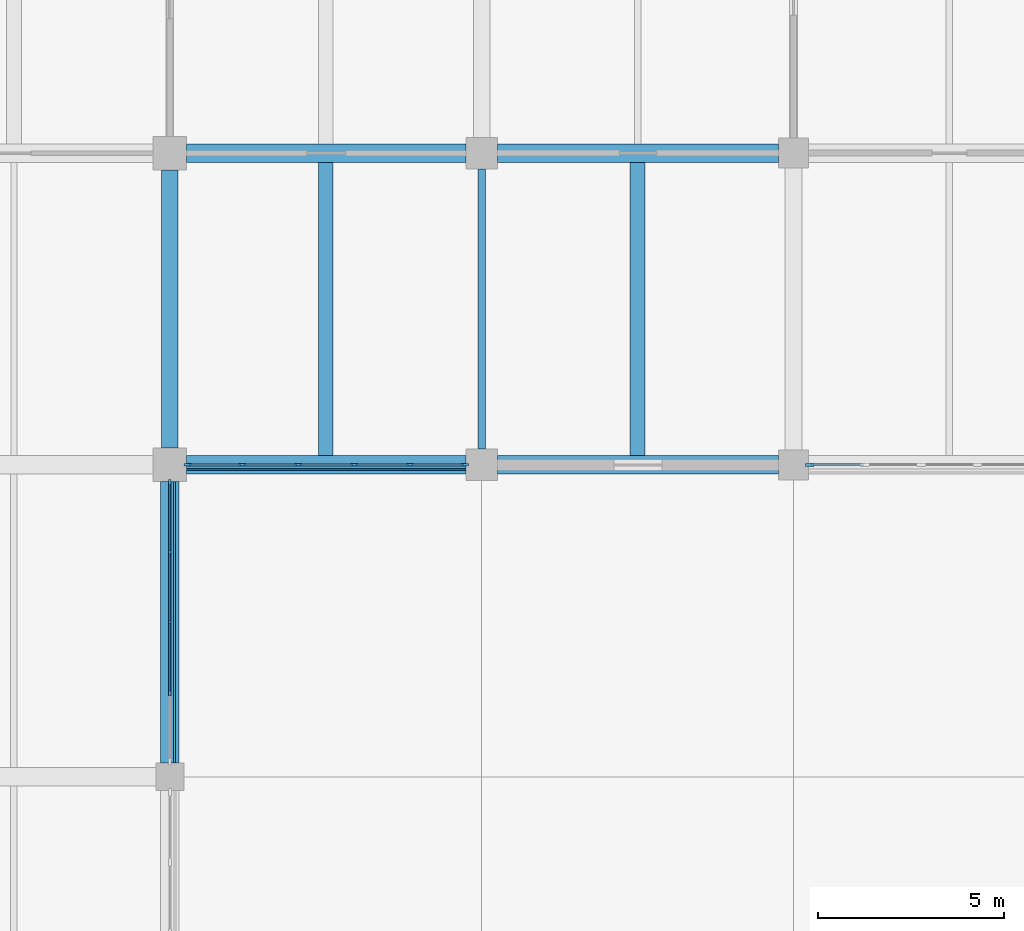
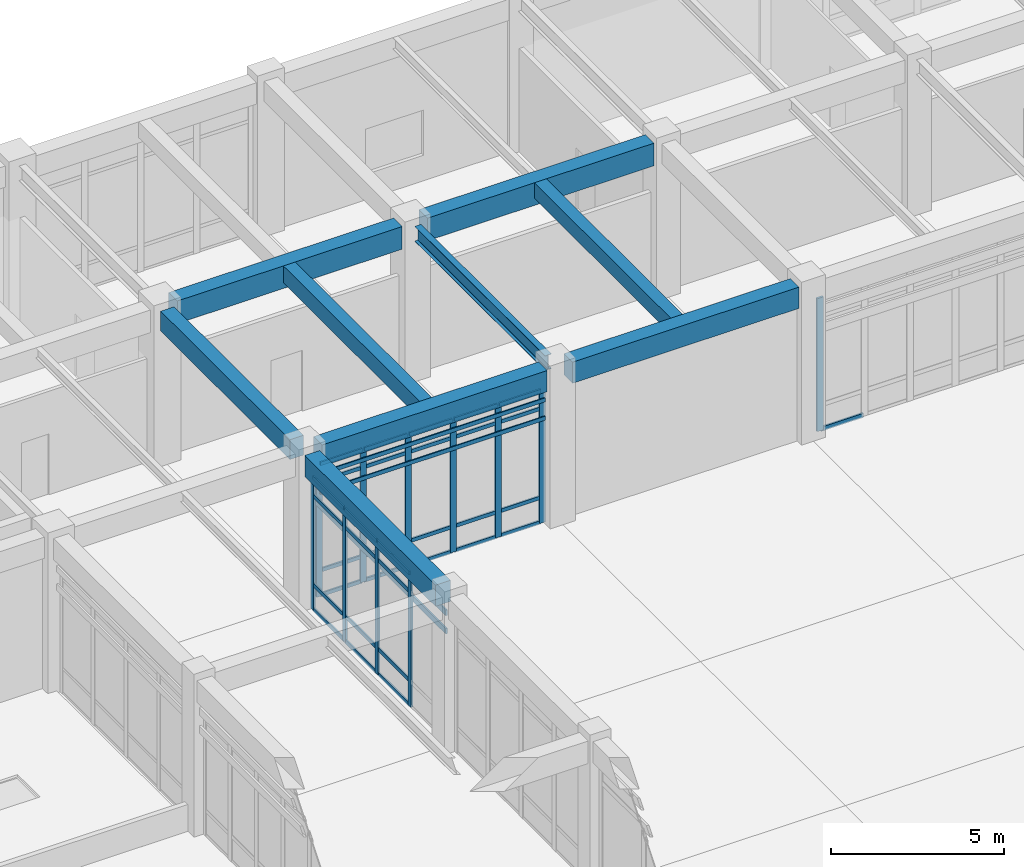
# One storey, part 43 of 91: 48 members, 9 beams, 3 elements without a shape of their own.
"""IFC4 building model written with IfcOpenShell, lengths in metres."""

from ifc_helpers import new_model, si_unit, direction, frame, origin, origin_2d, place, context, subcontext, project, spatial, rectangle, i_section, extrude, material, layer, layer_set, material_profile, profile_set, type_object, element, aggregate, save


model = new_model("IFC4")

# Units and contexts
model_context = context("Model", 3, precision=1e-05, world=origin(), true_north=direction((0.0, 1.0)))
body_context = subcontext(model_context, "Body", "Model", "MODEL_VIEW")
ifc_project = project(units=[si_unit("LENGTHUNIT", "METRE"), si_unit("AREAUNIT", "SQUARE_METRE"), si_unit("VOLUMEUNIT", "CUBIC_METRE"), si_unit("PLANEANGLEUNIT", "RADIAN"), si_unit("MASSUNIT", "GRAM", prefix="KILO")], contexts=[model_context])

# Site, building, storey
site_placement = place(None, origin())
site = spatial("IfcSite", under=ifc_project, at=site_placement, CompositionType="ELEMENT")
building_placement = place(site_placement, origin())
building = spatial("IfcBuilding", under=site, at=building_placement, Name="Porcellanite Civic Hall", CompositionType="ELEMENT")
storey_placement = place(building_placement, origin())
storey = spatial("IfcBuildingStorey", under=building, at=storey_placement, Name="L00", CompositionType="ELEMENT", Elevation=0.0)

# Beams
ifc_material_1 = material(Name="Concrete N50 (50 MPa)", Category="concrete")
ifc_material_profile_1 = material_profile(ifc_material_1, rectangle(XDim=0.39990234375, YDim=0.550048828125, at=origin_2d()), Name="RC-400x550")
ifc_profile_set_1 = profile_set([ifc_material_profile_1], Name="Concrete N50 (50 MPa)")
beam_type_1 = type_object("IfcBeamType", Name="BM-RC550", PredefinedType="JOIST", material=ifc_profile_set_1)
beam_1_placement = place(storey_placement, frame((138.60009765625, 101.049560546875, 5.22509765625), z_axis=(0.0, 1.0, 0.0), x_axis=(-1.0, 0.0, 0.0)))
element("IfcBeam", 1, at=beam_1_placement, inside=storey, type_object=beam_type_1, Name="Secondary joist L00 17-13", PredefinedType="JOIST", context=body_context, shape_type="SweptSolid", body=[
    extrude(rectangle(XDim=0.39990234375, YDim=0.550048828125, at=origin_2d()), origin(), (0.0, 0.0, 1.0), 7.90087890625),
])
ifc_material_2 = material(Name="Concrete N50 (50 MPa)", Category="concrete")
ifc_material_profile_2 = material_profile(ifc_material_2, rectangle(XDim=0.39990234375, YDim=0.60009765625, at=origin_2d()), Name="RC-400x600")
ifc_profile_set_2 = profile_set([ifc_material_profile_2], Name="Concrete N50 (50 MPa)")
beam_type_2 = type_object("IfcBeamType", Name="BM-RC600", PredefinedType="JOIST", material=ifc_profile_set_2)
beam_2_placement = place(storey_placement, frame((130.199951171875, 101.049560546875, 5.199951171875), z_axis=(0.0, 1.0, 0.0), x_axis=(-1.0, 0.0, 0.0)))
element("IfcBeam", 2, at=beam_2_placement, inside=storey, type_object=beam_type_2, Name="Secondary joist L00 16-13", PredefinedType="JOIST", context=body_context, shape_type="SweptSolid", body=[
    extrude(rectangle(XDim=0.39990234375, YDim=0.60009765625, at=origin_2d()), origin(), (0.0, 0.0, 1.0), 7.90087890625),
])
ifc_material_3 = material(Name="Concrete N50 (50 MPa)", Category="concrete")
ifc_material_profile_3 = material_profile(ifc_material_3, rectangle(XDim=0.449951171875, YDim=0.699951171875, at=origin_2d()), Name="RC-450x700")
ifc_profile_set_3 = profile_set([ifc_material_profile_3], Name="Concrete N50 (50 MPa)")
beam_type_3 = type_object("IfcBeamType", Name="BM-RC700", PredefinedType="BEAM", material=ifc_profile_set_3)
beam_3_placement = place(storey_placement, frame((126.0, 101.24951171875, 5.14990234375), z_axis=(0.0, 1.0, 0.0), x_axis=(-1.0, 0.0, 0.0)))
element("IfcBeam", 3, at=beam_3_placement, inside=storey, type_object=beam_type_3, Name="Beam Y L00 16-13", PredefinedType="BEAM", context=body_context, shape_type="SweptSolid", body=[
    extrude(rectangle(XDim=0.449951171875, YDim=0.699951171875, at=origin_2d()), origin(), (0.0, 0.0, 1.0), 7.5009765625),
])
ifc_material_4 = material(Name="Concrete N50 (50 MPa)", Category="concrete")
ifc_material_profile_4 = material_profile(ifc_material_4, rectangle(XDim=0.5, YDim=0.75, at=origin_2d()), Name="RC-500x750")
ifc_profile_set_4 = profile_set([ifc_material_profile_4], Name="Concrete N50 (50 MPa)")
beam_type_4 = type_object("IfcBeamType", Name="BM-RC750", PredefinedType="SPANDREL", material=ifc_profile_set_4)
beam_4_placement = place(storey_placement, frame((126.449462890625, 100.800048828125, 5.125), z_axis=(1.0, 0.0, 0.0), x_axis=(0.0, 1.0, 0.0)))
element("IfcBeam", 4, at=beam_4_placement, inside=storey, type_object=beam_type_4, Name="Beam X L00 16-13", PredefinedType="SPANDREL", context=body_context, shape_type="SweptSolid", body=[
    extrude(rectangle(XDim=0.5, YDim=0.75, at=origin_2d()), origin(), (0.0, 0.0, 1.0), 7.526123046875),
])
beam_5_placement = place(storey_placement, frame((134.824462890625, 100.800048828125, 5.125), z_axis=(1.0, 0.0, 0.0), x_axis=(0.0, 1.0, 0.0)))
element("IfcBeam", 5, at=beam_5_placement, inside=storey, type_object=beam_type_4, Name="Beam X L00 17-13", PredefinedType="SPANDREL", context=body_context, shape_type="SweptSolid", body=[
    extrude(rectangle(XDim=0.5, YDim=0.75, at=origin_2d()), origin(), (0.0, 0.0, 1.0), 7.575927734375),
])
beam_6_placement = place(storey_placement, frame((126.0, 92.7744140625, 5.125), z_axis=(0.0, 1.0, 0.0), x_axis=(-1.0, 0.0, 0.0)))
element("IfcBeam", 6, at=beam_6_placement, inside=storey, type_object=beam_type_4, Name="Beam Y L00 16-12", PredefinedType="SPANDREL", context=body_context, shape_type="SweptSolid", body=[
    extrude(rectangle(XDim=0.5, YDim=0.75, at=origin_2d()), origin(), (0.0, 0.0, 1.0), 7.576171875),
])
ifc_material_5 = material(Name="Concrete N50 (50 MPa)", Category="concrete")
ifc_material_profile_5 = material_profile(ifc_material_5, rectangle(XDim=0.5, YDim=0.800048828125, at=origin_2d()), Name="RC-500x800")
ifc_profile_set_5 = profile_set([ifc_material_profile_5], Name="Concrete N50 (50 MPa)")
beam_type_5 = type_object("IfcBeamType", Name="BM-RC800", PredefinedType="BEAM", material=ifc_profile_set_5)
beam_7_placement = place(storey_placement, frame((126.449462890625, 109.199951171875, 5.10009765625), z_axis=(1.0, 0.0, 0.0), x_axis=(0.0, 1.0, 0.0)))
element("IfcBeam", 7, at=beam_7_placement, inside=storey, type_object=beam_type_5, Name="Beam X L00 16-14", PredefinedType="BEAM", context=body_context, shape_type="SweptSolid", body=[
    extrude(rectangle(XDim=0.5, YDim=0.800048828125, at=origin_2d()), origin(), (0.0, 0.0, 1.0), 7.526123046875),
])
beam_8_placement = place(storey_placement, frame((134.824462890625, 109.199951171875, 5.10009765625), z_axis=(1.0, 0.0, 0.0), x_axis=(0.0, 1.0, 0.0)))
element("IfcBeam", 8, at=beam_8_placement, inside=storey, type_object=beam_type_5, Name="Beam X L00 17-14", PredefinedType="BEAM", context=body_context, shape_type="SweptSolid", body=[
    extrude(rectangle(XDim=0.5, YDim=0.800048828125, at=origin_2d()), origin(), (0.0, 0.0, 1.0), 7.575927734375),
])

# Curtain wall, member
ifc_material_6 = material(Name="Anodised aluminium and solar laminated glass", Category="aluminium")
ifc_layer_1 = layer(ifc_material_6, 0.179931640625)
ifc_layer_set_1 = layer_set([ifc_layer_1], Name="Anodised aluminium and solar laminated glass")
curtain_wall_type_1 = type_object("IfcCurtainWallType", Name="CW-SYS02", PredefinedType="NOTDEFINED", material=ifc_layer_set_1)
curtain_wall_1_placement = place(storey_placement, origin())
curtain_wall_1 = element("IfcCurtainWall", 9, at=curtain_wall_1_placement, inside=storey, type_object=curtain_wall_type_1, Name="Curtain wall CW-051", PredefinedType="NOTDEFINED")
ifc_material_7 = material(Name="Anodised aluminium 6063-T6", Category="aluminium")
ifc_material_profile_6 = material_profile(ifc_material_7, rectangle(XDim=0.074951171875, YDim=0.219970703125, at=origin_2d()), Name="AL-75x220")
ifc_profile_set_6 = profile_set([ifc_material_profile_6], Name="Anodised aluminium 6063-T6")
member_type_1 = type_object("IfcMemberType", Name="CWM-03", PredefinedType="MULLION", material=ifc_profile_set_6)
member_1_placement = place(storey_placement, frame((143.238525390625, 100.800048828125, 0.0), z_axis=(0.0, 0.0, 1.0), x_axis=(0.0, -1.0, 0.0)))
member_1 = element("IfcMember", 10, at=member_1_placement, type_object=member_type_1, Name="CW-051 mullion 6", PredefinedType="MULLION", context=body_context, shape_type="SweptSolid", body=[
    extrude(rectangle(XDim=0.074951171875, YDim=0.219970703125, at=origin_2d()), origin(), (0.0, 0.0, 1.0), 4.699951171875),
])

# Curtain wall, members
ifc_material_8 = material(Name="Anodised aluminium and solar laminated glass", Category="aluminium")
ifc_layer_2 = layer(ifc_material_8, 0.179931640625)
ifc_layer_set_2 = layer_set([ifc_layer_2], Name="Anodised aluminium and solar laminated glass")
curtain_wall_type_2 = type_object("IfcCurtainWallType", Name="CW-SYS01", PredefinedType="NOTDEFINED", material=ifc_layer_set_2)
curtain_wall_2_placement = place(storey_placement, origin())
curtain_wall_2 = element("IfcCurtainWall", 11, at=curtain_wall_2_placement, inside=storey, type_object=curtain_wall_type_2, Name="Curtain wall CW-047", PredefinedType="NOTDEFINED")
ifc_material_9 = material(Name="Anodised aluminium 6063-T6", Category="aluminium")
ifc_material_profile_7 = material_profile(ifc_material_9, rectangle(XDim=0.070068359375, YDim=0.199951171875, at=origin_2d()), Name="AL-70x200")
ifc_profile_set_7 = profile_set([ifc_material_profile_7], Name="Anodised aluminium 6063-T6")
member_type_2 = type_object("IfcMemberType", Name="CWM-05", PredefinedType="MULLION", material=ifc_profile_set_7)
member_2_placement = place(storey_placement, frame((133.93896484375, 100.800048828125, 0.0), z_axis=(0.0, 0.0, 1.0), x_axis=(0.0, -1.0, 0.0)))
member_2 = element("IfcMember", 12, at=member_2_placement, type_object=member_type_2, Name="CW-047 mullion 1", PredefinedType="MULLION", context=body_context, shape_type="SweptSolid", body=[
    extrude(rectangle(XDim=0.070068359375, YDim=0.199951171875, at=origin_2d()), origin(), (0.0, 0.0, 1.0), 4.699951171875),
])
member_3_placement = place(storey_placement, frame((132.469482421875, 100.800048828125, 0.0), z_axis=(0.0, 0.0, 1.0), x_axis=(0.0, -1.0, 0.0)))
member_3 = element("IfcMember", 13, at=member_3_placement, type_object=member_type_2, Name="CW-047 mullion 2", PredefinedType="MULLION", context=body_context, shape_type="SweptSolid", body=[
    extrude(rectangle(XDim=0.070068359375, YDim=0.199951171875, at=origin_2d()), origin(), (0.0, 0.0, 1.0), 4.699951171875),
])
member_4_placement = place(storey_placement, frame((130.96484375, 100.800048828125, 0.0), z_axis=(0.0, 0.0, 1.0), x_axis=(0.0, -1.0, 0.0)))
member_4 = element("IfcMember", 14, at=member_4_placement, type_object=member_type_2, Name="CW-047 mullion 3", PredefinedType="MULLION", context=body_context, shape_type="SweptSolid", body=[
    extrude(rectangle(XDim=0.070068359375, YDim=0.199951171875, at=origin_2d()), origin(), (0.0, 0.0, 1.0), 4.699951171875),
])
member_5_placement = place(storey_placement, frame((129.460205078125, 100.800048828125, 0.0), z_axis=(0.0, 0.0, 1.0), x_axis=(0.0, -1.0, 0.0)))
member_5 = element("IfcMember", 15, at=member_5_placement, type_object=member_type_2, Name="CW-047 mullion 4", PredefinedType="MULLION", context=body_context, shape_type="SweptSolid", body=[
    extrude(rectangle(XDim=0.070068359375, YDim=0.199951171875, at=origin_2d()), origin(), (0.0, 0.0, 1.0), 4.699951171875),
])
member_6_placement = place(storey_placement, frame((127.95556640625, 100.800048828125, 0.0), z_axis=(0.0, 0.0, 1.0), x_axis=(0.0, -1.0, 0.0)))
member_6 = element("IfcMember", 16, at=member_6_placement, type_object=member_type_2, Name="CW-047 mullion 5", PredefinedType="MULLION", context=body_context, shape_type="SweptSolid", body=[
    extrude(rectangle(XDim=0.070068359375, YDim=0.199951171875, at=origin_2d()), origin(), (0.0, 0.0, 1.0), 4.699951171875),
])
member_7_placement = place(storey_placement, frame((126.486083984375, 100.800048828125, 0.0), z_axis=(0.0, 0.0, 1.0), x_axis=(0.0, -1.0, 0.0)))
member_7 = element("IfcMember", 17, at=member_7_placement, type_object=member_type_2, Name="CW-047 mullion 6", PredefinedType="MULLION", context=body_context, shape_type="SweptSolid", body=[
    extrude(rectangle(XDim=0.070068359375, YDim=0.199951171875, at=origin_2d()), origin(), (0.0, 0.0, 1.0), 4.699951171875),
])

ifc_material_10 = material(Name="Anodised aluminium and solar laminated glass", Category="aluminium")
ifc_layer_3 = layer(ifc_material_10, 0.179931640625)
ifc_layer_set_3 = layer_set([ifc_layer_3], Name="Anodised aluminium and solar laminated glass")
curtain_wall_type_3 = type_object("IfcCurtainWallType", Name="CW-SYS06", PredefinedType="NOTDEFINED", material=ifc_layer_set_3)
curtain_wall_3_placement = place(storey_placement, origin())
curtain_wall_3 = element("IfcCurtainWall", 18, at=curtain_wall_3_placement, inside=storey, type_object=curtain_wall_type_3, Name="Curtain wall CW-044", PredefinedType="NOTDEFINED")
ifc_material_11 = material(Name="Anodised aluminium 6063-T6", Category="aluminium")
ifc_material_profile_8 = material_profile(ifc_material_11, rectangle(XDim=0.06494140625, YDim=0.179931640625, at=origin_2d()), Name="AL-65x180")
ifc_profile_set_8 = profile_set([ifc_material_profile_8], Name="Anodised aluminium 6063-T6")
member_type_3 = type_object("IfcMemberType", Name="CWM-06", PredefinedType="MULLION", material=ifc_profile_set_8)
member_8_placement = place(storey_placement, frame((126.0, 100.31640625, 0.0), z_axis=(0.0, 0.0, 1.0), x_axis=(1.0, 0.0, 0.0)))
member_8 = element("IfcMember", 19, at=member_8_placement, type_object=member_type_3, Name="CW-044 mullion 1", PredefinedType="MULLION", context=body_context, shape_type="SweptSolid", body=[
    extrude(rectangle(XDim=0.06494140625, YDim=0.179931640625, at=origin_2d()), origin(), (0.0, 0.0, 1.0), 4.699951171875),
])
member_9_placement = place(storey_placement, frame((126.0, 98.455810546875, 0.0), z_axis=(0.0, 0.0, 1.0), x_axis=(1.0, 0.0, 0.0)))
member_9 = element("IfcMember", 20, at=member_9_placement, type_object=member_type_3, Name="CW-044 mullion 2", PredefinedType="MULLION", context=body_context, shape_type="SweptSolid", body=[
    extrude(rectangle(XDim=0.06494140625, YDim=0.179931640625, at=origin_2d()), origin(), (0.0, 0.0, 1.0), 4.699951171875),
])
member_10_placement = place(storey_placement, frame((126.0, 96.5625, 0.0), z_axis=(0.0, 0.0, 1.0), x_axis=(1.0, 0.0, 0.0)))
member_10 = element("IfcMember", 21, at=member_10_placement, type_object=member_type_3, Name="CW-044 mullion 3", PredefinedType="MULLION", context=body_context, shape_type="SweptSolid", body=[
    extrude(rectangle(XDim=0.06494140625, YDim=0.179931640625, at=origin_2d()), origin(), (0.0, 0.0, 1.0), 4.699951171875),
])
member_11_placement = place(storey_placement, frame((126.0, 94.669189453125, 0.0), z_axis=(0.0, 0.0, 1.0), x_axis=(1.0, 0.0, 0.0)))
member_11 = element("IfcMember", 22, at=member_11_placement, type_object=member_type_3, Name="CW-044 mullion 4", PredefinedType="MULLION", context=body_context, shape_type="SweptSolid", body=[
    extrude(rectangle(XDim=0.06494140625, YDim=0.179931640625, at=origin_2d()), origin(), (0.0, 0.0, 1.0), 4.699951171875),
])

# Member
ifc_material_12 = material(Name="Anodised aluminium 6063-T6", Category="aluminium")
ifc_material_profile_9 = material_profile(ifc_material_12, rectangle(XDim=0.06494140625, YDim=0.14990234375, at=origin_2d()), Name="AL-65x150")
ifc_profile_set_9 = profile_set([ifc_material_profile_9], Name="Anodised aluminium 6063-T6")
member_type_4 = type_object("IfcMemberType", Name="CWT-02", PredefinedType="USERDEFINED", material=ifc_profile_set_9)
member_12_placement = place(storey_placement, frame((144.68310546875, 100.800048828125, 0.032470703125), z_axis=(-1.0, 0.0, 0.0), x_axis=(0.0, -1.0, 0.0)))
member_12 = element("IfcMember", 23, at=member_12_placement, type_object=member_type_4, Name="CW-051 transom 5.1", ObjectType="TRANSOM", PredefinedType="USERDEFINED", context=body_context, shape_type="SweptSolid", body=[
    extrude(rectangle(XDim=0.06494140625, YDim=0.14990234375, at=origin_2d()), origin(), (0.0, 0.0, 1.0), 1.4072265625),
])

aggregate(curtain_wall_1, [member_1, member_12])

ifc_material_13 = material(Name="Anodised aluminium 6063-T6", Category="aluminium")
ifc_material_profile_10 = material_profile(ifc_material_13, rectangle(XDim=0.06005859375, YDim=0.1298828125, at=origin_2d()), Name="AL-60x130")
ifc_profile_set_10 = profile_set([ifc_material_profile_10], Name="Anodised aluminium 6063-T6")
member_type_5 = type_object("IfcMemberType", Name="CWT-03", PredefinedType="USERDEFINED", material=ifc_profile_set_10)
member_13_placement = place(storey_placement, frame((133.904052734375, 100.800048828125, 0.030029296875), z_axis=(-1.0, 0.0, 0.0), x_axis=(0.0, -1.0, 0.0)))
member_13 = element("IfcMember", 24, at=member_13_placement, type_object=member_type_5, Name="CW-047 transom 1.1", ObjectType="TRANSOM", PredefinedType="USERDEFINED", context=body_context, shape_type="SweptSolid", body=[
    extrude(rectangle(XDim=0.06005859375, YDim=0.1298828125, at=origin_2d()), origin(), (0.0, 0.0, 1.0), 1.399658203125),
])

member_14_placement = place(storey_placement, frame((133.904052734375, 100.800048828125, 0.89990234375), z_axis=(-1.0, 0.0, 0.0), x_axis=(0.0, -1.0, 0.0)))
member_14 = element("IfcMember", 25, at=member_14_placement, type_object=member_type_5, Name="CW-047 transom 1.2", ObjectType="TRANSOM", PredefinedType="USERDEFINED", context=body_context, shape_type="SweptSolid", body=[
    extrude(rectangle(XDim=0.06005859375, YDim=0.1298828125, at=origin_2d()), origin(), (0.0, 0.0, 1.0), 1.399658203125),
])

member_15_placement = place(storey_placement, frame((133.904052734375, 100.800048828125, 4.050048828125), z_axis=(-1.0, 0.0, 0.0), x_axis=(0.0, -1.0, 0.0)))
member_15 = element("IfcMember", 26, at=member_15_placement, type_object=member_type_5, Name="CW-047 transom 1.3", ObjectType="TRANSOM", PredefinedType="USERDEFINED", context=body_context, shape_type="SweptSolid", body=[
    extrude(rectangle(XDim=0.06005859375, YDim=0.1298828125, at=origin_2d()), origin(), (0.0, 0.0, 1.0), 1.399658203125),
])

member_16_placement = place(storey_placement, frame((133.904052734375, 100.800048828125, 4.669921875), z_axis=(-1.0, 0.0, 0.0), x_axis=(0.0, -1.0, 0.0)))
member_16 = element("IfcMember", 27, at=member_16_placement, type_object=member_type_5, Name="CW-047 transom 1.4", ObjectType="TRANSOM", PredefinedType="USERDEFINED", context=body_context, shape_type="SweptSolid", body=[
    extrude(rectangle(XDim=0.06005859375, YDim=0.1298828125, at=origin_2d()), origin(), (0.0, 0.0, 1.0), 1.399658203125),
])

member_17_placement = place(storey_placement, frame((132.434326171875, 100.800048828125, 0.030029296875), z_axis=(-1.0, 0.0, 0.0), x_axis=(0.0, -1.0, 0.0)))
member_17 = element("IfcMember", 28, at=member_17_placement, type_object=member_type_5, Name="CW-047 transom 2.1", ObjectType="TRANSOM", PredefinedType="USERDEFINED", context=body_context, shape_type="SweptSolid", body=[
    extrude(rectangle(XDim=0.06005859375, YDim=0.1298828125, at=origin_2d()), origin(), (0.0, 0.0, 1.0), 1.4345703125),
])

member_18_placement = place(storey_placement, frame((132.434326171875, 100.800048828125, 0.89990234375), z_axis=(-1.0, 0.0, 0.0), x_axis=(0.0, -1.0, 0.0)))
member_18 = element("IfcMember", 29, at=member_18_placement, type_object=member_type_5, Name="CW-047 transom 2.2", ObjectType="TRANSOM", PredefinedType="USERDEFINED", context=body_context, shape_type="SweptSolid", body=[
    extrude(rectangle(XDim=0.06005859375, YDim=0.1298828125, at=origin_2d()), origin(), (0.0, 0.0, 1.0), 1.4345703125),
])

member_19_placement = place(storey_placement, frame((132.434326171875, 100.800048828125, 4.050048828125), z_axis=(-1.0, 0.0, 0.0), x_axis=(0.0, -1.0, 0.0)))
member_19 = element("IfcMember", 30, at=member_19_placement, type_object=member_type_5, Name="CW-047 transom 2.3", ObjectType="TRANSOM", PredefinedType="USERDEFINED", context=body_context, shape_type="SweptSolid", body=[
    extrude(rectangle(XDim=0.06005859375, YDim=0.1298828125, at=origin_2d()), origin(), (0.0, 0.0, 1.0), 1.4345703125),
])

member_20_placement = place(storey_placement, frame((132.434326171875, 100.800048828125, 4.669921875), z_axis=(-1.0, 0.0, 0.0), x_axis=(0.0, -1.0, 0.0)))
member_20 = element("IfcMember", 31, at=member_20_placement, type_object=member_type_5, Name="CW-047 transom 2.4", ObjectType="TRANSOM", PredefinedType="USERDEFINED", context=body_context, shape_type="SweptSolid", body=[
    extrude(rectangle(XDim=0.06005859375, YDim=0.1298828125, at=origin_2d()), origin(), (0.0, 0.0, 1.0), 1.4345703125),
])

member_21_placement = place(storey_placement, frame((130.9296875, 100.800048828125, 0.030029296875), z_axis=(-1.0, 0.0, 0.0), x_axis=(0.0, -1.0, 0.0)))
member_21 = element("IfcMember", 32, at=member_21_placement, type_object=member_type_5, Name="CW-047 transom 3.1", ObjectType="TRANSOM", PredefinedType="USERDEFINED", context=body_context, shape_type="SweptSolid", body=[
    extrude(rectangle(XDim=0.06005859375, YDim=0.1298828125, at=origin_2d()), origin(), (0.0, 0.0, 1.0), 1.4345703125),
])

member_22_placement = place(storey_placement, frame((130.9296875, 100.800048828125, 0.89990234375), z_axis=(-1.0, 0.0, 0.0), x_axis=(0.0, -1.0, 0.0)))
member_22 = element("IfcMember", 33, at=member_22_placement, type_object=member_type_5, Name="CW-047 transom 3.2", ObjectType="TRANSOM", PredefinedType="USERDEFINED", context=body_context, shape_type="SweptSolid", body=[
    extrude(rectangle(XDim=0.06005859375, YDim=0.1298828125, at=origin_2d()), origin(), (0.0, 0.0, 1.0), 1.4345703125),
])

member_23_placement = place(storey_placement, frame((130.9296875, 100.800048828125, 4.050048828125), z_axis=(-1.0, 0.0, 0.0), x_axis=(0.0, -1.0, 0.0)))
member_23 = element("IfcMember", 34, at=member_23_placement, type_object=member_type_5, Name="CW-047 transom 3.3", ObjectType="TRANSOM", PredefinedType="USERDEFINED", context=body_context, shape_type="SweptSolid", body=[
    extrude(rectangle(XDim=0.06005859375, YDim=0.1298828125, at=origin_2d()), origin(), (0.0, 0.0, 1.0), 1.4345703125),
])

member_24_placement = place(storey_placement, frame((130.9296875, 100.800048828125, 4.669921875), z_axis=(-1.0, 0.0, 0.0), x_axis=(0.0, -1.0, 0.0)))
member_24 = element("IfcMember", 35, at=member_24_placement, type_object=member_type_5, Name="CW-047 transom 3.4", ObjectType="TRANSOM", PredefinedType="USERDEFINED", context=body_context, shape_type="SweptSolid", body=[
    extrude(rectangle(XDim=0.06005859375, YDim=0.1298828125, at=origin_2d()), origin(), (0.0, 0.0, 1.0), 1.4345703125),
])

member_25_placement = place(storey_placement, frame((129.42529296875, 100.800048828125, 0.030029296875), z_axis=(-1.0, 0.0, 0.0), x_axis=(0.0, -1.0, 0.0)))
member_25 = element("IfcMember", 36, at=member_25_placement, type_object=member_type_5, Name="CW-047 transom 4.1", ObjectType="TRANSOM", PredefinedType="USERDEFINED", context=body_context, shape_type="SweptSolid", body=[
    extrude(rectangle(XDim=0.06005859375, YDim=0.1298828125, at=origin_2d()), origin(), (0.0, 0.0, 1.0), 1.434814453125),
])

member_26_placement = place(storey_placement, frame((129.42529296875, 100.800048828125, 0.89990234375), z_axis=(-1.0, 0.0, 0.0), x_axis=(0.0, -1.0, 0.0)))
member_26 = element("IfcMember", 37, at=member_26_placement, type_object=member_type_5, Name="CW-047 transom 4.2", ObjectType="TRANSOM", PredefinedType="USERDEFINED", context=body_context, shape_type="SweptSolid", body=[
    extrude(rectangle(XDim=0.06005859375, YDim=0.1298828125, at=origin_2d()), origin(), (0.0, 0.0, 1.0), 1.434814453125),
])

member_27_placement = place(storey_placement, frame((129.42529296875, 100.800048828125, 4.050048828125), z_axis=(-1.0, 0.0, 0.0), x_axis=(0.0, -1.0, 0.0)))
member_27 = element("IfcMember", 38, at=member_27_placement, type_object=member_type_5, Name="CW-047 transom 4.3", ObjectType="TRANSOM", PredefinedType="USERDEFINED", context=body_context, shape_type="SweptSolid", body=[
    extrude(rectangle(XDim=0.06005859375, YDim=0.1298828125, at=origin_2d()), origin(), (0.0, 0.0, 1.0), 1.434814453125),
])

member_28_placement = place(storey_placement, frame((129.42529296875, 100.800048828125, 4.669921875), z_axis=(-1.0, 0.0, 0.0), x_axis=(0.0, -1.0, 0.0)))
member_28 = element("IfcMember", 39, at=member_28_placement, type_object=member_type_5, Name="CW-047 transom 4.4", ObjectType="TRANSOM", PredefinedType="USERDEFINED", context=body_context, shape_type="SweptSolid", body=[
    extrude(rectangle(XDim=0.06005859375, YDim=0.1298828125, at=origin_2d()), origin(), (0.0, 0.0, 1.0), 1.434814453125),
])

member_29_placement = place(storey_placement, frame((127.920654296875, 100.800048828125, 0.030029296875), z_axis=(-1.0, 0.0, 0.0), x_axis=(0.0, -1.0, 0.0)))
member_29 = element("IfcMember", 40, at=member_29_placement, type_object=member_type_5, Name="CW-047 transom 5.1", ObjectType="TRANSOM", PredefinedType="USERDEFINED", context=body_context, shape_type="SweptSolid", body=[
    extrude(rectangle(XDim=0.06005859375, YDim=0.1298828125, at=origin_2d()), origin(), (0.0, 0.0, 1.0), 1.399658203125),
])

member_30_placement = place(storey_placement, frame((127.920654296875, 100.800048828125, 0.89990234375), z_axis=(-1.0, 0.0, 0.0), x_axis=(0.0, -1.0, 0.0)))
member_30 = element("IfcMember", 41, at=member_30_placement, type_object=member_type_5, Name="CW-047 transom 5.2", ObjectType="TRANSOM", PredefinedType="USERDEFINED", context=body_context, shape_type="SweptSolid", body=[
    extrude(rectangle(XDim=0.06005859375, YDim=0.1298828125, at=origin_2d()), origin(), (0.0, 0.0, 1.0), 1.399658203125),
])

member_31_placement = place(storey_placement, frame((127.920654296875, 100.800048828125, 4.050048828125), z_axis=(-1.0, 0.0, 0.0), x_axis=(0.0, -1.0, 0.0)))
member_31 = element("IfcMember", 42, at=member_31_placement, type_object=member_type_5, Name="CW-047 transom 5.3", ObjectType="TRANSOM", PredefinedType="USERDEFINED", context=body_context, shape_type="SweptSolid", body=[
    extrude(rectangle(XDim=0.06005859375, YDim=0.1298828125, at=origin_2d()), origin(), (0.0, 0.0, 1.0), 1.399658203125),
])

member_32_placement = place(storey_placement, frame((127.920654296875, 100.800048828125, 4.669921875), z_axis=(-1.0, 0.0, 0.0), x_axis=(0.0, -1.0, 0.0)))
member_32 = element("IfcMember", 43, at=member_32_placement, type_object=member_type_5, Name="CW-047 transom 5.4", ObjectType="TRANSOM", PredefinedType="USERDEFINED", context=body_context, shape_type="SweptSolid", body=[
    extrude(rectangle(XDim=0.06005859375, YDim=0.1298828125, at=origin_2d()), origin(), (0.0, 0.0, 1.0), 1.399658203125),
])

aggregate(curtain_wall_2, [member_2, member_3, member_4, member_5, member_6, member_7, member_13, member_14, member_15, member_16, member_17, member_18, member_19, member_20, member_21, member_22, member_23, member_24, member_25, member_26, member_27, member_28, member_29, member_30, member_31, member_32])

ifc_material_14 = material(Name="Anodised aluminium 6063-T6", Category="aluminium")
ifc_material_profile_11 = material_profile(ifc_material_14, rectangle(XDim=0.050048828125, YDim=0.139892578125, at=origin_2d()), Name="AL-50x140")
ifc_profile_set_11 = profile_set([ifc_material_profile_11], Name="Anodised aluminium 6063-T6")
member_type_6 = type_object("IfcMemberType", Name="CWT-06", PredefinedType="USERDEFINED", material=ifc_profile_set_11)
member_33_placement = place(storey_placement, frame((126.0, 100.283935546875, 0.02490234375), z_axis=(0.0, -1.0, 0.0), x_axis=(1.0, 0.0, 0.0)))
member_33 = element("IfcMember", 44, at=member_33_placement, type_object=member_type_6, Name="CW-044 transom 1.1", ObjectType="TRANSOM", PredefinedType="USERDEFINED", context=body_context, shape_type="SweptSolid", body=[
    extrude(rectangle(XDim=0.050048828125, YDim=0.139892578125, at=origin_2d()), origin(), (0.0, 0.0, 1.0), 1.795654296875),
])

member_34_placement = place(storey_placement, frame((126.0, 100.283935546875, 0.89990234375), z_axis=(0.0, -1.0, 0.0), x_axis=(1.0, 0.0, 0.0)))
member_34 = element("IfcMember", 45, at=member_34_placement, type_object=member_type_6, Name="CW-044 transom 1.2", ObjectType="TRANSOM", PredefinedType="USERDEFINED", context=body_context, shape_type="SweptSolid", body=[
    extrude(rectangle(XDim=0.050048828125, YDim=0.139892578125, at=origin_2d()), origin(), (0.0, 0.0, 1.0), 1.795654296875),
])

member_35_placement = place(storey_placement, frame((126.0, 100.283935546875, 4.050048828125), z_axis=(0.0, -1.0, 0.0), x_axis=(1.0, 0.0, 0.0)))
member_35 = element("IfcMember", 46, at=member_35_placement, type_object=member_type_6, Name="CW-044 transom 1.3", ObjectType="TRANSOM", PredefinedType="USERDEFINED", context=body_context, shape_type="SweptSolid", body=[
    extrude(rectangle(XDim=0.050048828125, YDim=0.139892578125, at=origin_2d()), origin(), (0.0, 0.0, 1.0), 1.795654296875),
])

member_36_placement = place(storey_placement, frame((126.0, 100.283935546875, 4.675048828125), z_axis=(0.0, -1.0, 0.0), x_axis=(1.0, 0.0, 0.0)))
member_36 = element("IfcMember", 47, at=member_36_placement, type_object=member_type_6, Name="CW-044 transom 1.4", ObjectType="TRANSOM", PredefinedType="USERDEFINED", context=body_context, shape_type="SweptSolid", body=[
    extrude(rectangle(XDim=0.050048828125, YDim=0.139892578125, at=origin_2d()), origin(), (0.0, 0.0, 1.0), 1.795654296875),
])

member_37_placement = place(storey_placement, frame((126.0, 98.42333984375, 0.02490234375), z_axis=(0.0, -1.0, 0.0), x_axis=(1.0, 0.0, 0.0)))
member_37 = element("IfcMember", 48, at=member_37_placement, type_object=member_type_6, Name="CW-044 transom 2.1", ObjectType="TRANSOM", PredefinedType="USERDEFINED", context=body_context, shape_type="SweptSolid", body=[
    extrude(rectangle(XDim=0.050048828125, YDim=0.139892578125, at=origin_2d()), origin(), (0.0, 0.0, 1.0), 1.828369140625),
])

member_38_placement = place(storey_placement, frame((126.0, 98.42333984375, 0.89990234375), z_axis=(0.0, -1.0, 0.0), x_axis=(1.0, 0.0, 0.0)))
member_38 = element("IfcMember", 49, at=member_38_placement, type_object=member_type_6, Name="CW-044 transom 2.2", ObjectType="TRANSOM", PredefinedType="USERDEFINED", context=body_context, shape_type="SweptSolid", body=[
    extrude(rectangle(XDim=0.050048828125, YDim=0.139892578125, at=origin_2d()), origin(), (0.0, 0.0, 1.0), 1.828369140625),
])

member_39_placement = place(storey_placement, frame((126.0, 98.42333984375, 4.050048828125), z_axis=(0.0, -1.0, 0.0), x_axis=(1.0, 0.0, 0.0)))
member_39 = element("IfcMember", 50, at=member_39_placement, type_object=member_type_6, Name="CW-044 transom 2.3", ObjectType="TRANSOM", PredefinedType="USERDEFINED", context=body_context, shape_type="SweptSolid", body=[
    extrude(rectangle(XDim=0.050048828125, YDim=0.139892578125, at=origin_2d()), origin(), (0.0, 0.0, 1.0), 1.828369140625),
])

member_40_placement = place(storey_placement, frame((126.0, 98.42333984375, 4.675048828125), z_axis=(0.0, -1.0, 0.0), x_axis=(1.0, 0.0, 0.0)))
member_40 = element("IfcMember", 51, at=member_40_placement, type_object=member_type_6, Name="CW-044 transom 2.4", ObjectType="TRANSOM", PredefinedType="USERDEFINED", context=body_context, shape_type="SweptSolid", body=[
    extrude(rectangle(XDim=0.050048828125, YDim=0.139892578125, at=origin_2d()), origin(), (0.0, 0.0, 1.0), 1.828369140625),
])

member_41_placement = place(storey_placement, frame((126.0, 96.530029296875, 0.02490234375), z_axis=(0.0, -1.0, 0.0), x_axis=(1.0, 0.0, 0.0)))
member_41 = element("IfcMember", 52, at=member_41_placement, type_object=member_type_6, Name="CW-044 transom 3.1", ObjectType="TRANSOM", PredefinedType="USERDEFINED", context=body_context, shape_type="SweptSolid", body=[
    extrude(rectangle(XDim=0.050048828125, YDim=0.139892578125, at=origin_2d()), origin(), (0.0, 0.0, 1.0), 1.828369140625),
])

member_42_placement = place(storey_placement, frame((126.0, 96.530029296875, 0.89990234375), z_axis=(0.0, -1.0, 0.0), x_axis=(1.0, 0.0, 0.0)))
member_42 = element("IfcMember", 53, at=member_42_placement, type_object=member_type_6, Name="CW-044 transom 3.2", ObjectType="TRANSOM", PredefinedType="USERDEFINED", context=body_context, shape_type="SweptSolid", body=[
    extrude(rectangle(XDim=0.050048828125, YDim=0.139892578125, at=origin_2d()), origin(), (0.0, 0.0, 1.0), 1.828369140625),
])

member_43_placement = place(storey_placement, frame((126.0, 96.530029296875, 4.050048828125), z_axis=(0.0, -1.0, 0.0), x_axis=(1.0, 0.0, 0.0)))
member_43 = element("IfcMember", 54, at=member_43_placement, type_object=member_type_6, Name="CW-044 transom 3.3", ObjectType="TRANSOM", PredefinedType="USERDEFINED", context=body_context, shape_type="SweptSolid", body=[
    extrude(rectangle(XDim=0.050048828125, YDim=0.139892578125, at=origin_2d()), origin(), (0.0, 0.0, 1.0), 1.828369140625),
])

member_44_placement = place(storey_placement, frame((126.0, 96.530029296875, 4.675048828125), z_axis=(0.0, -1.0, 0.0), x_axis=(1.0, 0.0, 0.0)))
member_44 = element("IfcMember", 55, at=member_44_placement, type_object=member_type_6, Name="CW-044 transom 3.4", ObjectType="TRANSOM", PredefinedType="USERDEFINED", context=body_context, shape_type="SweptSolid", body=[
    extrude(rectangle(XDim=0.050048828125, YDim=0.139892578125, at=origin_2d()), origin(), (0.0, 0.0, 1.0), 1.828369140625),
])

aggregate(curtain_wall_3, [member_8, member_9, member_10, member_11, member_33, member_34, member_35, member_36, member_37, member_38, member_39, member_40, member_41, member_42, member_43, member_44])

# Members
ifc_material_15 = material(Name="Fluoropolymer bauxite-red aluminium 6063-T6", Category="aluminium")
ifc_material_profile_12 = material_profile(ifc_material_15, rectangle(XDim=0.054931640625, YDim=0.199951171875, at=origin_2d()), Name="AL-55x200")
ifc_profile_set_12 = profile_set([ifc_material_profile_12], Name="Fluoropolymer bauxite-red aluminium 6063-T6")
member_type_7 = type_object("IfcMemberType", Name="LV-BLD09", PredefinedType="USERDEFINED", material=ifc_profile_set_12)
for number, where, z_axis, x_axis, name in (
    (56, (126.119384765625, 100.3505859375, 4.39990234375), (0.0, -1.0, 0.0), (1.0, 0.0, 0.0), "Cyclone sunshade louvre L00 E 14-11 1"),
    (57, (126.119384765625, 100.3505859375, 3.75), (0.0, -1.0, 0.0), (1.0, 0.0, 0.0), "Cyclone sunshade louvre L00 E 14-11 2"),
):
    element("IfcMember", number, at=place(storey_placement, frame(where, z_axis=z_axis, x_axis=x_axis)), inside=storey, type_object=member_type_7, Name=name, ObjectType="LOUVRE BLADE", PredefinedType="USERDEFINED", context=body_context, shape_type="SweptSolid", body=[
        extrude(rectangle(XDim=0.054931640625, YDim=0.199951171875, at=origin_2d()), origin(), (0.0, 0.0, 1.0), 7.576171875),
    ])
ifc_material_16 = material(Name="Fluoropolymer bauxite-red aluminium 6063-T6", Category="aluminium")
ifc_material_profile_13 = material_profile(ifc_material_16, rectangle(XDim=0.0400390625, YDim=0.139892578125, at=origin_2d()), Name="AL-40x140")
ifc_profile_set_13 = profile_set([ifc_material_profile_13], Name="Fluoropolymer bauxite-red aluminium 6063-T6")
member_type_8 = type_object("IfcMemberType", Name="LV-BLD12", PredefinedType="USERDEFINED", material=ifc_profile_set_13)
for number, where, z_axis, x_axis, name in (
    (58, (133.9755859375, 100.677978515625, 4.39990234375), (-1.0, 0.0, 0.0), (0.0, -1.0, 0.0), "Cyclone sunshade louvre L00 S 15-12 1"),
    (59, (133.9755859375, 100.677978515625, 3.75), (-1.0, 0.0, 0.0), (0.0, -1.0, 0.0), "Cyclone sunshade louvre L00 S 15-12 2"),
):
    element("IfcMember", number, at=place(storey_placement, frame(where, z_axis=z_axis, x_axis=x_axis)), inside=storey, type_object=member_type_8, Name=name, ObjectType="LOUVRE BLADE", PredefinedType="USERDEFINED", context=body_context, shape_type="SweptSolid", body=[
        extrude(rectangle(XDim=0.0400390625, YDim=0.139892578125, at=origin_2d()), origin(), (0.0, 0.0, 1.0), 7.526123046875),
    ])

# Beam
ifc_material_17 = material(Name="Steel Grade 350", Category="steel")
ifc_material_profile_14 = material_profile(ifc_material_17, i_section(OverallWidth=0.208984375, OverallDepth=0.528076171875, WebThickness=0.009521484375, FlangeThickness=0.01318359375, FilletRadius=0.013916015625, at=origin_2d()), Name="530UB82.0")
ifc_profile_set_14 = profile_set([ifc_material_profile_14], Name="Steel Grade 350")
beam_type_6 = type_object("IfcBeamType", Name="RAF-530UB82", PredefinedType="BEAM", material=ifc_profile_set_14)
beam_9_placement = place(storey_placement, frame((134.39990234375, 101.224609375, 5.236083984375), z_axis=(0.0, 1.0, 0.0), x_axis=(-1.0, 0.0, 0.0)))
element("IfcBeam", 60, at=beam_9_placement, inside=storey, type_object=beam_type_6, Name="Beam Y L00 17-13", PredefinedType="BEAM", context=body_context, shape_type="SweptSolid", body=[
    extrude(i_section(OverallWidth=0.208984375, OverallDepth=0.528076171875, WebThickness=0.009521484375, FlangeThickness=0.01318359375, FilletRadius=0.013916015625, at=origin_2d()), origin(), (0.0, 0.0, 1.0), 7.55078125),
])

save(model, "model.ifc")
